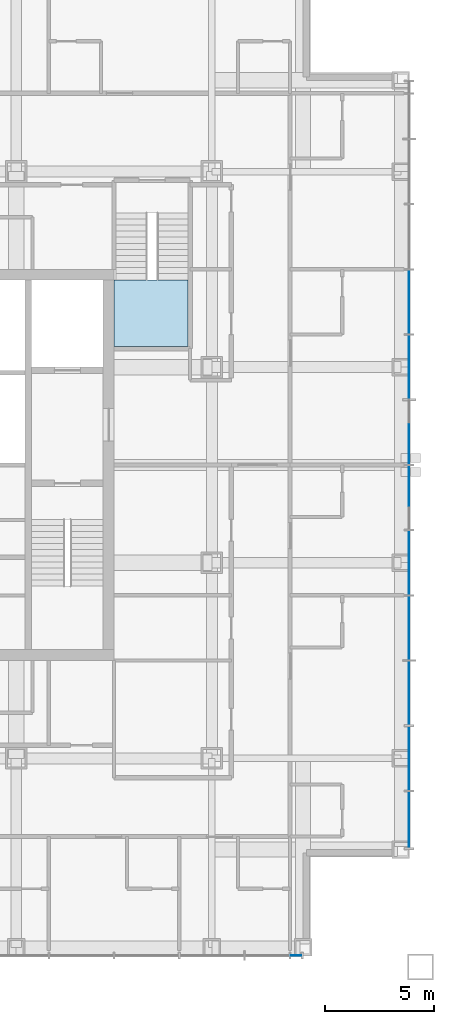
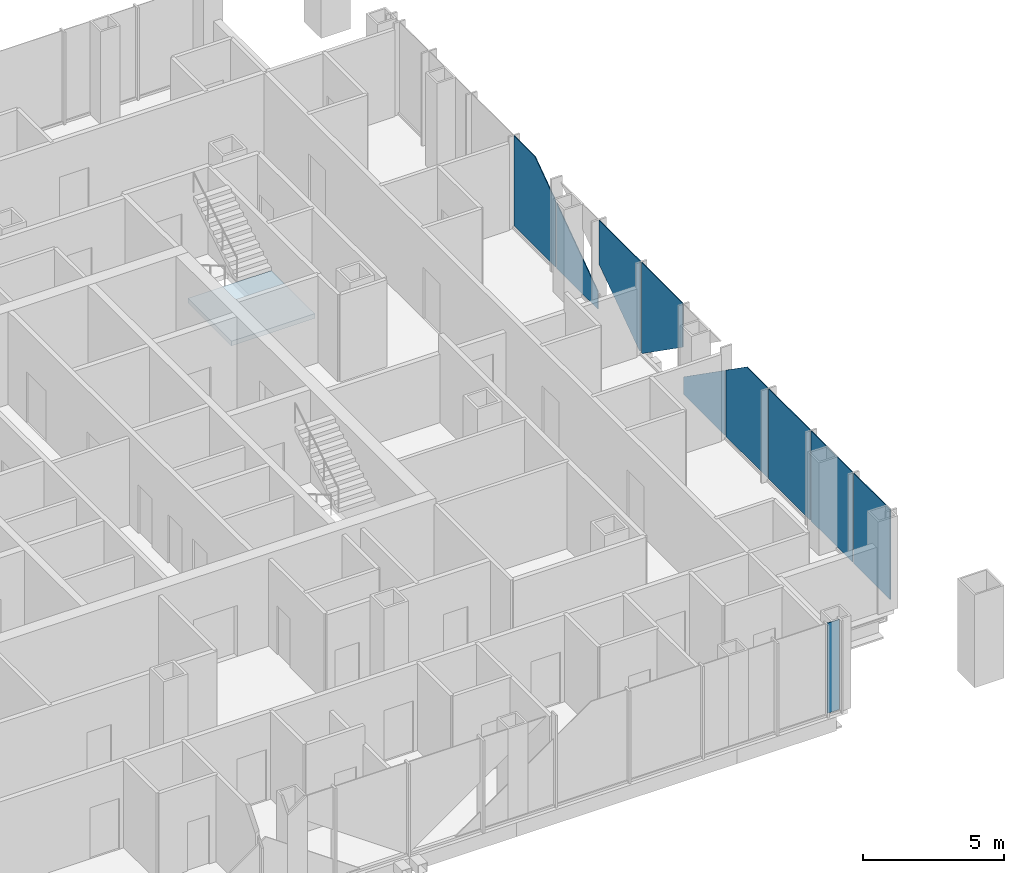
# One storey, part 9 of 17: 10 plates, 1 slab, 3 elements without a shape of their own.
"""IFC4 building model written with IfcOpenShell, lengths in metres."""

from ifc_helpers import new_model, si_unit, direction, frame, origin, origin_2d, place, context, subcontext, project, spatial, polyline, rectangle, outline, extrude, material, layer, layer_set, type_object, element, aggregate, save


model = new_model("IFC4")

# Units and contexts
model_context = context("Model", 3, precision=1e-05, world=origin(), true_north=direction((0.0, 1.0)))
body_context = subcontext(model_context, "Body", "Model", "MODEL_VIEW")
ifc_project = project(units=[si_unit("LENGTHUNIT", "METRE"), si_unit("AREAUNIT", "SQUARE_METRE"), si_unit("VOLUMEUNIT", "CUBIC_METRE"), si_unit("PLANEANGLEUNIT", "RADIAN"), si_unit("MASSUNIT", "GRAM", prefix="KILO")], contexts=[model_context])

# Site, building, storey
site_placement = place(None, origin())
site = spatial("IfcSite", under=ifc_project, at=site_placement, CompositionType="ELEMENT")
building_placement = place(site_placement, origin())
building = spatial("IfcBuilding", under=site, at=building_placement, Name="Malebo Sky Hospital", CompositionType="ELEMENT")
storey_placement = place(building_placement, frame((0.0, 0.0, 193.0)))
storey = spatial("IfcBuildingStorey", under=building, at=storey_placement, Name="L46", CompositionType="ELEMENT", Elevation=193.0)

# Stair, slab
ifc_material_1 = material(Name="Concrete C40/50", Category="concrete")
stair_type = type_object("IfcStairType", Name="HALF-TURN STAIR 1400 R167", PredefinedType="HALF_TURN_STAIR", material=ifc_material_1)
stair_placement = place(storey_placement, origin())
stair = element("IfcStair", 1, at=stair_placement, inside=storey, type_object=stair_type, Name="Stair S3 L46 type ST1B", PredefinedType="HALF_TURN_STAIR")
ifc_layer_1 = layer(ifc_material_1, 0.199951171875)
ifc_layer_set_1 = layer_set([ifc_layer_1], Name="STAIR LANDING 200")
slab_type = type_object("IfcSlabType", Name="STAIR LANDING 200", PredefinedType="LANDING", material=ifc_layer_set_1)
slab_placement = place(storey_placement, frame((0.0, 0.0, 1.800048828125)))
slab = element("IfcSlab", 2, at=slab_placement, type_object=slab_type, Name="S3 landing 2", PredefinedType="LANDING", context=body_context, shape_type="SweptSolid", body=[
    extrude(outline(polyline([(69.0, 67.449951171875), (72.39990234375, 67.449951171875), (72.39990234375, 70.52001953125), (69.0, 70.52001953125), (69.0, 67.449951171875)])), origin(), (0.0, 0.0, 1.0), 0.199951171875),
])
aggregate(stair, [slab])

# Curtain wall, plate
ifc_material_2 = material(Name="Anodised aluminium, natural silver", Category="aluminium")
ifc_layer_2 = layer(ifc_material_2, 0.25)
ifc_layer_set_2 = layer_set([ifc_layer_2], Name="WARD CURTAIN WALL NORTH AND SOUTH")
curtain_wall_type_1 = type_object("IfcCurtainWallType", Name="WARD CURTAIN WALL NORTH AND SOUTH", PredefinedType="NOTDEFINED", material=ifc_layer_set_2)
curtain_wall_1_placement = place(storey_placement, origin())
curtain_wall_1 = element("IfcCurtainWall", 3, at=curtain_wall_1_placement, inside=storey, type_object=curtain_wall_type_1, Name="NS curtain wall S", PredefinedType="NOTDEFINED")
ifc_material_3 = material(Name="Clear low-iron double glazing", Category="glass")
ifc_layer_3 = layer(ifc_material_3, 0.031982421875)
ifc_layer_set_3 = layer_set([ifc_layer_3], Name="VISION PANEL CLEAR 32")
plate_type = type_object("IfcPlateType", Name="VISION PANEL CLEAR 32", PredefinedType="CURTAIN_PANEL", material=ifc_layer_set_3)
plate_1_placement = place(storey_placement, frame((77.38134765625, 39.425048828125, 0.10009765625), z_axis=(0.0, 0.0, 1.0), x_axis=(-1.0, 0.0, 0.0)))
plate_1 = element("IfcPlate", 4, at=plate_1_placement, type_object=plate_type, Name="Panel 1", PredefinedType="CURTAIN_PANEL", context=body_context, shape_type="SweptSolid", body=[
    extrude(rectangle(XDim=0.487548828125, YDim=0.031982421875, at=origin_2d()), origin(), (0.0, 0.0, 1.0), 3.889892578125),
])
aggregate(curtain_wall_1, [plate_1])

# Curtain wall, plates
ifc_layer_4 = layer(ifc_material_2, 0.25)
ifc_layer_set_4 = layer_set([ifc_layer_4], Name="WARD CURTAIN WALL EAST AND WEST")
curtain_wall_type_2 = type_object("IfcCurtainWallType", Name="WARD CURTAIN WALL EAST AND WEST", PredefinedType="NOTDEFINED", material=ifc_layer_set_4)
curtain_wall_2_placement = place(storey_placement, origin())
curtain_wall_2 = element("IfcCurtainWall", 5, at=curtain_wall_2_placement, inside=storey, type_object=curtain_wall_type_2, Name="EW curtain wall E", PredefinedType="NOTDEFINED")
plate_2_placement = place(storey_placement, frame((82.574951171875, 69.5, 0.10009765625), z_axis=(0.0, 0.0, 1.0), x_axis=(0.0, -1.0, 0.0)))
plate_2 = element("IfcPlate", 6, at=plate_2_placement, type_object=plate_type, Name="Panel 5", PredefinedType="CURTAIN_PANEL", context=body_context, shape_type="SweptSolid", body=[
    extrude(outline(polyline([(-1.46240234375, 0.0), (1.46240234375, 0.0), (1.46240234375, 2.87353515625), (0.01513671875, 3.889892578125), (-1.46240234375, 3.889892578125), (-1.46240234375, 0.0)])), frame((0.0, 0.01611328125, 0.0), z_axis=(0.0, -1.0, 0.0), x_axis=(1.0, 0.0, 0.0)), (0.0, 0.0, 1.0), 0.031982421875),
])
plate_3_placement = place(storey_placement, frame((82.574951171875, 66.5, 0.10009765625), z_axis=(0.0, 0.0, 1.0), x_axis=(0.0, -1.0, 0.0)))
plate_3 = element("IfcPlate", 7, at=plate_3_placement, type_object=plate_type, Name="Panel 6", PredefinedType="CURTAIN_PANEL", context=body_context, shape_type="SweptSolid", body=[
    extrude(outline(polyline([(-1.46240234375, 0.0), (1.46240234375, 0.0), (1.46240234375, 0.766357421875), (-1.46240234375, 2.82080078125), (-1.46240234375, 0.0)])), frame((0.0, 0.01611328125, 0.0), z_axis=(0.0, -1.0, 0.0), x_axis=(1.0, 0.0, 0.0)), (0.0, 0.0, 1.0), 0.031982421875),
])
plate_4_placement = place(storey_placement, frame((82.574951171875, 63.5, 0.10009765625), z_axis=(0.0, 0.0, 1.0), x_axis=(0.0, -1.0, 0.0)))
plate_4 = element("IfcPlate", 8, at=plate_4_placement, type_object=plate_type, Name="Panel 7", PredefinedType="CURTAIN_PANEL", context=body_context, shape_type="SweptSolid", body=[
    extrude(outline(polyline([(1.382080078125, 0.0), (1.46240234375, 0.0), (1.46240234375, 3.889892578125), (-1.46240234375, 3.889892578125), (-1.46240234375, 1.998046875), (1.382080078125, 0.0)])), frame((0.0, 0.01611328125, 0.0), z_axis=(0.0, -1.0, 0.0), x_axis=(1.0, 0.0, 0.0)), (0.0, 0.0, 1.0), 0.031982421875),
])
plate_5_placement = place(storey_placement, frame((82.574951171875, 60.5, 0.10009765625), z_axis=(0.0, 0.0, 1.0), x_axis=(0.0, -1.0, 0.0)))
plate_5 = element("IfcPlate", 9, at=plate_5_placement, type_object=plate_type, Name="Panel 8", PredefinedType="CURTAIN_PANEL", context=body_context, shape_type="SweptSolid", body=[
    extrude(outline(polyline([(-1.46240234375, 0.0), (-1.382080078125, 0.0), (1.46240234375, 1.998046875), (1.46240234375, 3.889892578125), (-1.46240234375, 3.889892578125), (-1.46240234375, 0.0)])), frame((0.0, 0.01611328125, 0.0), z_axis=(0.0, -1.0, 0.0), x_axis=(1.0, 0.0, 0.0)), (0.0, 0.0, 1.0), 0.031982421875),
])
plate_6_placement = place(storey_placement, frame((82.574951171875, 57.5, 0.10009765625), z_axis=(0.0, 0.0, 1.0), x_axis=(0.0, -1.0, 0.0)))
plate_6 = element("IfcPlate", 10, at=plate_6_placement, type_object=plate_type, Name="Panel 9", PredefinedType="CURTAIN_PANEL", context=body_context, shape_type="SweptSolid", body=[
    extrude(outline(polyline([(-1.46240234375, 0.0), (1.46240234375, 0.0), (1.46240234375, 2.82080078125), (-1.46240234375, 0.766357421875), (-1.46240234375, 0.0)])), frame((0.0, 0.01611328125, 0.0), z_axis=(0.0, -1.0, 0.0), x_axis=(1.0, 0.0, 0.0)), (0.0, 0.0, 1.0), 0.031982421875),
])
plate_7_placement = place(storey_placement, frame((82.574951171875, 54.5, 0.10009765625), z_axis=(0.0, 0.0, 1.0), x_axis=(0.0, -1.0, 0.0)))
plate_7 = element("IfcPlate", 11, at=plate_7_placement, type_object=plate_type, Name="Panel 10", PredefinedType="CURTAIN_PANEL", context=body_context, shape_type="SweptSolid", body=[
    extrude(outline(polyline([(-1.46240234375, 0.0), (1.46240234375, 0.0), (1.46240234375, 3.889892578125), (-0.01513671875, 3.889892578125), (-1.46240234375, 2.87353515625), (-1.46240234375, 0.0)])), frame((0.0, 0.01611328125, 0.0), z_axis=(0.0, -1.0, 0.0), x_axis=(1.0, 0.0, 0.0)), (0.0, 0.0, 1.0), 0.031982421875),
])
plate_8_placement = place(storey_placement, frame((82.574951171875, 51.5, 0.10009765625), z_axis=(0.0, 0.0, 1.0), x_axis=(0.0, -1.0, 0.0)))
plate_8 = element("IfcPlate", 12, at=plate_8_placement, type_object=plate_type, Name="Panel 11", PredefinedType="CURTAIN_PANEL", context=body_context, shape_type="SweptSolid", body=[
    extrude(rectangle(XDim=2.925048828125, YDim=0.031982421875, at=origin_2d()), origin(), (0.0, 0.0, 1.0), 3.889892578125),
])
plate_9_placement = place(storey_placement, frame((82.574951171875, 48.5, 0.10009765625), z_axis=(0.0, 0.0, 1.0), x_axis=(0.0, -1.0, 0.0)))
plate_9 = element("IfcPlate", 13, at=plate_9_placement, type_object=plate_type, Name="Panel 12", PredefinedType="CURTAIN_PANEL", context=body_context, shape_type="SweptSolid", body=[
    extrude(rectangle(XDim=2.925048828125, YDim=0.031982421875, at=origin_2d()), origin(), (0.0, 0.0, 1.0), 3.889892578125),
])
plate_10_placement = place(storey_placement, frame((82.574951171875, 45.668701171875, 0.10009765625), z_axis=(0.0, 0.0, 1.0), x_axis=(0.0, -1.0, 0.0)))
plate_10 = element("IfcPlate", 14, at=plate_10_placement, type_object=plate_type, Name="Panel 13", PredefinedType="CURTAIN_PANEL", context=body_context, shape_type="SweptSolid", body=[
    extrude(rectangle(XDim=2.58740234375, YDim=0.031982421875, at=origin_2d()), origin(), (0.0, 0.0, 1.0), 3.889892578125),
])
aggregate(curtain_wall_2, [plate_2, plate_3, plate_4, plate_5, plate_6, plate_7, plate_8, plate_9, plate_10])

save(model, "model.ifc")
